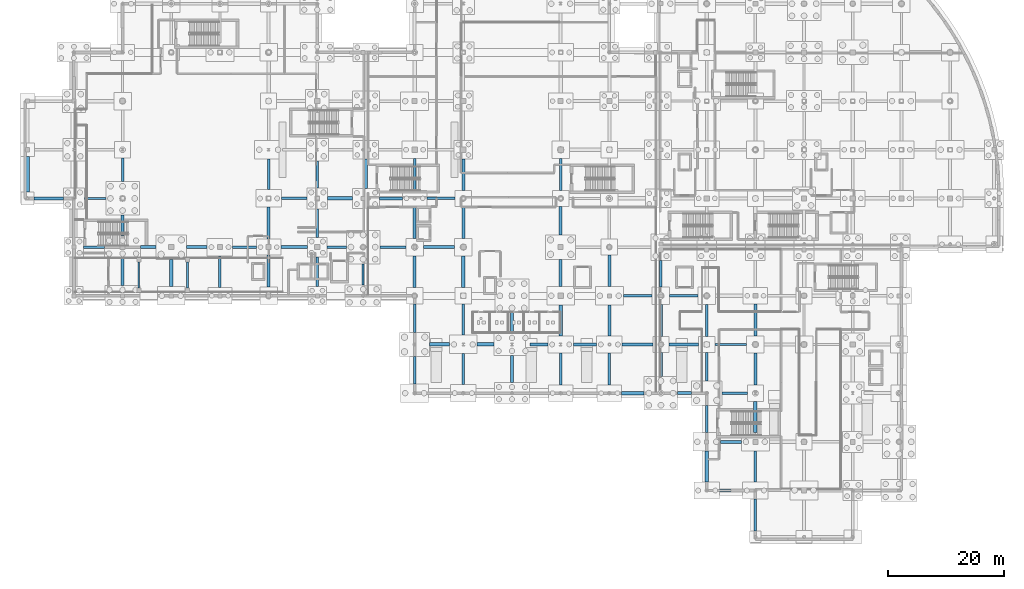
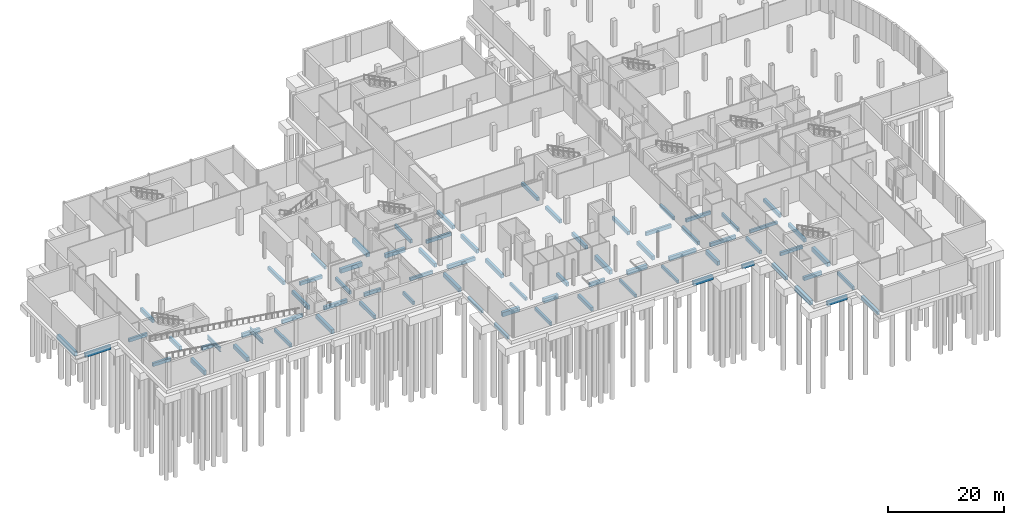
# One storey, part 21 of 49: 76 beams.
"""IFC4 building model written with IfcOpenShell, lengths in metres."""

from ifc_helpers import new_model, si_unit, direction, frame, origin, origin_2d, place, context, subcontext, project, spatial, rectangle, i_section, extrude, material, material_profile, profile_set, type_object, element, save


model = new_model("IFC4")

# Units and contexts
model_context = context("Model", 3, precision=1e-05, world=origin(), true_north=direction((0.0, 1.0)))
body_context = subcontext(model_context, "Body", "Model", "MODEL_VIEW")
ifc_project = project(units=[si_unit("LENGTHUNIT", "METRE"), si_unit("AREAUNIT", "SQUARE_METRE"), si_unit("VOLUMEUNIT", "CUBIC_METRE"), si_unit("PLANEANGLEUNIT", "RADIAN"), si_unit("MASSUNIT", "GRAM", prefix="KILO"), si_unit("THERMODYNAMICTEMPERATUREUNIT", "KELVIN")], contexts=[model_context])

# Site, building, storey
site_placement = place(None, origin())
site = spatial("IfcSite", under=ifc_project, at=site_placement, CompositionType="ELEMENT")
building_placement = place(site_placement, origin())
building = spatial("IfcBuilding", under=site, at=building_placement, Name="Lustrewick Department Store", CompositionType="ELEMENT")
storey_placement = place(building_placement, frame((0.0, 0.0, -5.39990234375)))
storey = spatial("IfcBuildingStorey", under=building, at=storey_placement, Name="B1", CompositionType="ELEMENT", Elevation=-5.39990234375)

# Beams
ifc_material_1 = material(Name="Structural steel Q355C", Category="steel")
ifc_material_profile_1 = material_profile(ifc_material_1, i_section(OverallWidth=0.300048828125, OverallDepth=0.89990234375, WebThickness=0.01611328125, FlangeThickness=0.028076171875, FilletRadius=0.02392578125, at=origin_2d()), Name="HN 900x300x16x28")
ifc_profile_set_1 = profile_set([ifc_material_profile_1], Name="Structural steel Q355C")
beam_type_1 = type_object("IfcBeamType", Name="G02", PredefinedType="BEAM", material=ifc_profile_set_1)
for number, where, z_axis, x_axis, name in (
    (1, (19.60009765625, 43.360107421875, 3.0029296875), (0.0, 1.0, 0.0), (-1.0, 0.0, 0.0), "B1 Vehicle Ramp Transverse Support Girder 1"),
    (2, (28.0, 43.360107421875, 1.742919921875), (0.0, 1.0, 0.0), (-1.0, 0.0, 0.0), "B1 Vehicle Ramp Transverse Support Girder 2"),
):
    element("IfcBeam", number, at=place(storey_placement, frame(where, z_axis=z_axis, x_axis=x_axis)), inside=storey, type_object=beam_type_1, Name=name, PredefinedType="BEAM", context=body_context, shape_type="SweptSolid", body=[
        extrude(i_section(OverallWidth=0.300048828125, OverallDepth=0.89990234375, WebThickness=0.01611328125, FlangeThickness=0.028076171875, FilletRadius=0.02392578125, at=origin_2d()), origin(), (0.0, 0.0, 1.0), 4.47998046875),
    ])
ifc_material_2 = material(Name="Concrete C40", Category="concrete")
ifc_material_profile_2 = material_profile(ifc_material_2, rectangle(XDim=0.60009765625, YDim=0.89990234375, at=origin_2d()), Name="RC 600x900")
ifc_profile_set_2 = profile_set([ifc_material_profile_2], Name="Concrete C40")
beam_type_2 = type_object("IfcBeamType", Name="GB01", PredefinedType="BEAM", material=ifc_profile_set_2)
beam_1_placement = place(storey_placement, frame((0.39990234375, 59.89990234375, -1.150146484375), z_axis=(0.0, 1.0, 0.0), x_axis=(-1.0, 0.0, 0.0)))
element("IfcBeam", 3, at=beam_1_placement, inside=storey, type_object=beam_type_2, Name="Ground Tie Beam GB01 0001", PredefinedType="BEAM", context=body_context, shape_type="SweptSolid", body=[
    extrude(rectangle(XDim=0.60009765625, YDim=0.89990234375, at=origin_2d()), origin(), (0.0, 0.0, 1.0), 6.10009765625),
])
beam_2_placement = place(storey_placement, frame((52.199951171875, 58.800048828125, -1.150146484375), z_axis=(1.0, 0.0, 0.0), x_axis=(0.0, 1.0, 0.0)))
element("IfcBeam", 4, at=beam_2_placement, inside=storey, type_object=beam_type_2, Name="Ground Tie Beam GB01 0041", PredefinedType="BEAM", context=body_context, shape_type="SweptSolid", body=[
    extrude(rectangle(XDim=0.60009765625, YDim=0.89990234375, at=origin_2d()), origin(), (0.0, 0.0, 1.0), 4.300048828125),
])
beam_3_placement = place(storey_placement, frame((58.800048828125, 60.5, -1.150146484375), z_axis=(0.0, 1.0, 0.0), x_axis=(-1.0, 0.0, 0.0)))
element("IfcBeam", 5, at=beam_3_placement, inside=storey, type_object=beam_type_2, Name="Ground Tie Beam GB01 0049", PredefinedType="BEAM", context=body_context, shape_type="SweptSolid", body=[
    extrude(rectangle(XDim=0.60009765625, YDim=0.89990234375, at=origin_2d()), origin(), (0.0, 0.0, 1.0), 5.10009765625),
])
beam_4_placement = place(storey_placement, frame((69.800048828125, 33.60009765625, -1.150146484375), z_axis=(1.0, 0.0, 0.0), x_axis=(0.0, 1.0, 0.0)))
element("IfcBeam", 6, at=beam_4_placement, inside=storey, type_object=beam_type_2, Name="Ground Tie Beam GB01 0057", PredefinedType="BEAM", context=body_context, shape_type="SweptSolid", body=[
    extrude(rectangle(XDim=0.60009765625, YDim=0.89990234375, at=origin_2d()), origin(), (0.0, 0.0, 1.0), 3.39990234375),
])
beam_5_placement = place(storey_placement, frame((78.0, 33.60009765625, -1.150146484375), z_axis=(1.0, 0.0, 0.0), x_axis=(0.0, 1.0, 0.0)))
element("IfcBeam", 7, at=beam_5_placement, inside=storey, type_object=beam_type_2, Name="Ground Tie Beam GB01 0073", PredefinedType="BEAM", context=body_context, shape_type="SweptSolid", body=[
    extrude(rectangle(XDim=0.60009765625, YDim=0.89990234375, at=origin_2d()), origin(), (0.0, 0.0, 1.0), 2.89990234375),
])
beam_6_placement = place(storey_placement, frame((92.39990234375, 35.10009765625, -1.150146484375), z_axis=(0.0, 1.0, 0.0), x_axis=(-1.0, 0.0, 0.0)))
element("IfcBeam", 8, at=beam_6_placement, inside=storey, type_object=beam_type_2, Name="Ground Tie Beam GB01 0089", PredefinedType="BEAM", context=body_context, shape_type="SweptSolid", body=[
    extrude(rectangle(XDim=0.60009765625, YDim=0.89990234375, at=origin_2d()), origin(), (0.0, 0.0, 1.0), 5.2998046875),
])
beam_7_placement = place(storey_placement, frame((102.89990234375, 25.199951171875, -1.150146484375), z_axis=(1.0, 0.0, 0.0), x_axis=(0.0, 1.0, 0.0)))
element("IfcBeam", 9, at=beam_7_placement, inside=storey, type_object=beam_type_2, Name="Ground Tie Beam GB01 0105", PredefinedType="BEAM", context=body_context, shape_type="SweptSolid", body=[
    extrude(rectangle(XDim=0.60009765625, YDim=0.89990234375, at=origin_2d()), origin(), (0.0, 0.0, 1.0), 3.900146484375),
])
beam_8_placement = place(storey_placement, frame((117.60009765625, 9.89990234375, -1.150146484375), z_axis=(0.0, 1.0, 0.0), x_axis=(-1.0, 0.0, 0.0)))
element("IfcBeam", 10, at=beam_8_placement, inside=storey, type_object=beam_type_2, Name="Ground Tie Beam GB01 0137", PredefinedType="BEAM", context=body_context, shape_type="SweptSolid", body=[
    extrude(rectangle(XDim=0.60009765625, YDim=0.89990234375, at=origin_2d()), origin(), (0.0, 0.0, 1.0), 5.300048828125),
])
beam_9_placement = place(storey_placement, frame((126.0, 18.39990234375, -1.150146484375), z_axis=(0.0, 1.0, 0.0), x_axis=(-1.0, 0.0, 0.0)))
element("IfcBeam", 11, at=beam_9_placement, inside=storey, type_object=beam_type_2, Name="Ground Tie Beam GB01 0153", PredefinedType="BEAM", context=body_context, shape_type="SweptSolid", body=[
    extrude(rectangle(XDim=0.60009765625, YDim=0.89990234375, at=origin_2d()), origin(), (0.0, 0.0, 1.0), 5.400146484375),
])
ifc_material_profile_3 = material_profile(ifc_material_2, rectangle(XDim=0.550048828125, YDim=0.85009765625, at=origin_2d()), Name="RC 550x850")
ifc_profile_set_3 = profile_set([ifc_material_profile_3], Name="Concrete C40")
beam_type_3 = type_object("IfcBeamType", Name="GB02", PredefinedType="BEAM", material=ifc_profile_set_3)
beam_10_placement = place(storey_placement, frame((1.5, 58.800048828125, -1.125), z_axis=(1.0, 0.0, 0.0), x_axis=(0.0, 1.0, 0.0)))
element("IfcBeam", 12, at=beam_10_placement, inside=storey, type_object=beam_type_3, Name="Ground Tie Beam GB02 0002", PredefinedType="BEAM", context=body_context, shape_type="SweptSolid", body=[
    extrude(rectangle(XDim=0.550048828125, YDim=0.85009765625, at=origin_2d()), origin(), (0.0, 0.0, 1.0), 5.10009765625),
])
for number, where, z_axis, x_axis, name in (
    (13, (16.800048828125, 43.800048828125, -1.125), (0.0, 1.0, 0.0), (-1.0, 0.0, 0.0), "Ground Tie Beam GB02 0010"),
    (14, (25.199951171875, 43.60009765625, -1.125), (0.0, 1.0, 0.0), (-1.0, 0.0, 0.0), "Ground Tie Beam GB02 0018"),
):
    element("IfcBeam", number, at=place(storey_placement, frame(where, z_axis=z_axis, x_axis=x_axis)), inside=storey, type_object=beam_type_3, Name=name, PredefinedType="BEAM", context=body_context, shape_type="SweptSolid", body=[
        extrude(rectangle(XDim=0.550048828125, YDim=0.85009765625, at=origin_2d()), origin(), (0.0, 0.0, 1.0), 4.699951171875),
    ])
beam_11_placement = place(storey_placement, frame((42.0, 43.5, -1.125), z_axis=(0.0, 1.0, 0.0), x_axis=(-1.0, 0.0, 0.0)))
element("IfcBeam", 15, at=beam_11_placement, inside=storey, type_object=beam_type_3, Name="Ground Tie Beam GB02 0026", PredefinedType="BEAM", context=body_context, shape_type="SweptSolid", body=[
    extrude(rectangle(XDim=0.550048828125, YDim=0.85009765625, at=origin_2d()), origin(), (0.0, 0.0, 1.0), 5.5),
])
beam_12_placement = place(storey_placement, frame((61.10009765625, 58.800048828125, -1.125), z_axis=(1.0, 0.0, 0.0), x_axis=(0.0, 1.0, 0.0)))
element("IfcBeam", 16, at=beam_12_placement, inside=storey, type_object=beam_type_3, Name="Ground Tie Beam GB02 0050", PredefinedType="BEAM", context=body_context, shape_type="SweptSolid", body=[
    extrude(rectangle(XDim=0.550048828125, YDim=0.85009765625, at=origin_2d()), origin(), (0.0, 0.0, 1.0), 4.0),
])
for number, where, z_axis, x_axis, name in (
    (17, (67.199951171875, 43.39990234375, -1.125), (0.0, 1.0, 0.0), (-1.0, 0.0, 0.0), "Ground Tie Beam GB02 0058"),
    (18, (75.60009765625, 43.39990234375, -1.125), (0.0, 1.0, 0.0), (-1.0, 0.0, 0.0), "Ground Tie Beam GB02 0074"),
):
    element("IfcBeam", number, at=place(storey_placement, frame(where, z_axis=z_axis, x_axis=x_axis)), inside=storey, type_object=beam_type_3, Name=name, PredefinedType="BEAM", context=body_context, shape_type="SweptSolid", body=[
        extrude(rectangle(XDim=0.550048828125, YDim=0.85009765625, at=origin_2d()), origin(), (0.0, 0.0, 1.0), 5.5),
    ])
beam_13_placement = place(storey_placement, frame((94.60009765625, 33.60009765625, -1.125), z_axis=(1.0, 0.0, 0.0), x_axis=(0.0, 1.0, 0.0)))
element("IfcBeam", 19, at=beam_13_placement, inside=storey, type_object=beam_type_3, Name="Ground Tie Beam GB02 0090", PredefinedType="BEAM", context=body_context, shape_type="SweptSolid", body=[
    extrude(rectangle(XDim=0.550048828125, YDim=0.85009765625, at=origin_2d()), origin(), (0.0, 0.0, 1.0), 4.0),
])
beam_14_placement = place(storey_placement, frame((100.800048828125, 35.10009765625, -1.125), z_axis=(0.0, 1.0, 0.0), x_axis=(-1.0, 0.0, 0.0)))
element("IfcBeam", 20, at=beam_14_placement, inside=storey, type_object=beam_type_3, Name="Ground Tie Beam GB02 0106", PredefinedType="BEAM", context=body_context, shape_type="SweptSolid", body=[
    extrude(rectangle(XDim=0.550048828125, YDim=0.85009765625, at=origin_2d()), origin(), (0.0, 0.0, 1.0), 5.2998046875),
])
beam_15_placement = place(storey_placement, frame((109.699951171875, 28.10009765625, -1.125), z_axis=(0.0, 1.0, 0.0), x_axis=(-1.0, 0.0, 0.0)))
element("IfcBeam", 21, at=beam_15_placement, inside=storey, type_object=beam_type_3, Name="Ground Tie Beam GB02 0130", PredefinedType="BEAM", context=body_context, shape_type="SweptSolid", body=[
    extrude(rectangle(XDim=0.550048828125, YDim=0.85009765625, at=origin_2d()), origin(), (0.0, 0.0, 1.0), 4.099853515625),
])
beam_16_placement = place(storey_placement, frame((119.800048828125, 8.39990234375, -1.125), z_axis=(1.0, 0.0, 0.0), x_axis=(0.0, 1.0, 0.0)))
element("IfcBeam", 22, at=beam_16_placement, inside=storey, type_object=beam_type_3, Name="Ground Tie Beam GB02 0138", PredefinedType="BEAM", context=body_context, shape_type="SweptSolid", body=[
    extrude(rectangle(XDim=0.550048828125, YDim=0.85009765625, at=origin_2d()), origin(), (0.0, 0.0, 1.0), 4.0),
])
ifc_material_profile_4 = material_profile(ifc_material_2, rectangle(XDim=0.5, YDim=0.800048828125, at=origin_2d()), Name="RC 500x800")
ifc_profile_set_4 = profile_set([ifc_material_profile_4], Name="Concrete C40")
beam_type_4 = type_object("IfcBeamType", Name="GB03", PredefinedType="BEAM", material=ifc_profile_set_4)
for number, where, z_axis, x_axis, name in (
    (23, (16.800048828125, 52.300048828125, -1.10009765625), (0.0, 1.0, 0.0), (-1.0, 0.0, 0.0), "Ground Tie Beam GB03 0011"),
    (24, (27.800048828125, 50.39990234375, -1.10009765625), (1.0, 0.0, 0.0), (0.0, 1.0, 0.0), "Ground Tie Beam GB03 0019"),
):
    element("IfcBeam", number, at=place(storey_placement, frame(where, z_axis=z_axis, x_axis=x_axis)), inside=storey, type_object=beam_type_4, Name=name, PredefinedType="BEAM", context=body_context, shape_type="SweptSolid", body=[
        extrude(rectangle(XDim=0.5, YDim=0.800048828125, at=origin_2d()), origin(), (0.0, 0.0, 1.0), 3.599853515625),
    ])
for number, where, z_axis, x_axis, name in (
    (25, (42.0, 51.800048828125, -1.10009765625), (0.0, 1.0, 0.0), (-1.0, 0.0, 0.0), "Ground Tie Beam GB03 0027"),
    (26, (67.199951171875, 51.89990234375, -1.10009765625), (0.0, 1.0, 0.0), (-1.0, 0.0, 0.0), "Ground Tie Beam GB03 0059"),
    (27, (75.60009765625, 51.89990234375, -1.10009765625), (0.0, 1.0, 0.0), (-1.0, 0.0, 0.0), "Ground Tie Beam GB03 0075"),
):
    element("IfcBeam", number, at=place(storey_placement, frame(where, z_axis=z_axis, x_axis=x_axis)), inside=storey, type_object=beam_type_4, Name=name, PredefinedType="BEAM", context=body_context, shape_type="SweptSolid", body=[
        extrude(rectangle(XDim=0.5, YDim=0.800048828125, at=origin_2d()), origin(), (0.0, 0.0, 1.0), 5.5),
    ])
for number, where, z_axis, x_axis, name in (
    (28, (84.0, 27.0, -1.10009765625), (0.0, 1.0, 0.0), (-1.0, 0.0, 0.0), "Ground Tie Beam GB03 0083"),
    (29, (92.39990234375, 43.60009765625, -1.10009765625), (0.0, 1.0, 0.0), (-1.0, 0.0, 0.0), "Ground Tie Beam GB03 0091"),
):
    element("IfcBeam", number, at=place(storey_placement, frame(where, z_axis=z_axis, x_axis=x_axis)), inside=storey, type_object=beam_type_4, Name=name, PredefinedType="BEAM", context=body_context, shape_type="SweptSolid", body=[
        extrude(rectangle(XDim=0.5, YDim=0.800048828125, at=origin_2d()), origin(), (0.0, 0.0, 1.0), 4.699951171875),
    ])
beam_17_placement = place(storey_placement, frame((103.0, 33.60009765625, -1.10009765625), z_axis=(1.0, 0.0, 0.0), x_axis=(0.0, 1.0, 0.0)))
element("IfcBeam", 30, at=beam_17_placement, inside=storey, type_object=beam_type_4, Name="Ground Tie Beam GB03 0107", PredefinedType="BEAM", context=body_context, shape_type="SweptSolid", body=[
    extrude(rectangle(XDim=0.5, YDim=0.800048828125, at=origin_2d()), origin(), (0.0, 0.0, 1.0), 5.300048828125),
])
beam_18_placement = place(storey_placement, frame((112.60009765625, 25.199951171875, -1.10009765625), z_axis=(1.0, 0.0, 0.0), x_axis=(0.0, 1.0, 0.0)))
element("IfcBeam", 31, at=beam_18_placement, inside=storey, type_object=beam_type_4, Name="Ground Tie Beam GB03 0131", PredefinedType="BEAM", context=body_context, shape_type="SweptSolid", body=[
    extrude(rectangle(XDim=0.5, YDim=0.800048828125, at=origin_2d()), origin(), (0.0, 0.0, 1.0), 2.39990234375),
])
beam_19_placement = place(storey_placement, frame((117.60009765625, 18.39990234375, -1.10009765625), z_axis=(0.0, 1.0, 0.0), x_axis=(-1.0, 0.0, 0.0)))
element("IfcBeam", 32, at=beam_19_placement, inside=storey, type_object=beam_type_4, Name="Ground Tie Beam GB03 0139", PredefinedType="BEAM", context=body_context, shape_type="SweptSolid", body=[
    extrude(rectangle(XDim=0.5, YDim=0.800048828125, at=origin_2d()), origin(), (0.0, 0.0, 1.0), 4.7001953125),
])
beam_20_placement = place(storey_placement, frame((126.0, 26.60009765625, -1.10009765625), z_axis=(0.0, 1.0, 0.0), x_axis=(-1.0, 0.0, 0.0)))
element("IfcBeam", 33, at=beam_20_placement, inside=storey, type_object=beam_type_4, Name="Ground Tie Beam GB03 0155", PredefinedType="BEAM", context=body_context, shape_type="SweptSolid", body=[
    extrude(rectangle(XDim=0.5, YDim=0.800048828125, at=origin_2d()), origin(), (0.0, 0.0, 1.0), 5.5),
])
ifc_material_profile_5 = material_profile(ifc_material_2, rectangle(XDim=0.5, YDim=0.75, at=origin_2d()), Name="RC 500x750")
ifc_profile_set_5 = profile_set([ifc_material_profile_5], Name="Concrete C40")
beam_type_5 = type_object("IfcBeamType", Name="GB04", PredefinedType="BEAM", material=ifc_profile_set_5)
beam_21_placement = place(storey_placement, frame((19.89990234375, 50.39990234375, -1.0751953125), z_axis=(1.0, 0.0, 0.0), x_axis=(0.0, 1.0, 0.0)))
element("IfcBeam", 34, at=beam_21_placement, inside=storey, type_object=beam_type_5, Name="Ground Tie Beam GB04 0012", PredefinedType="BEAM", context=body_context, shape_type="SweptSolid", body=[
    extrude(rectangle(XDim=0.5, YDim=0.75, at=origin_2d()), origin(), (0.0, 0.0, 1.0), 2.7001953125),
])
beam_22_placement = place(storey_placement, frame((44.10009765625, 50.39990234375, -1.0751953125), z_axis=(1.0, 0.0, 0.0), x_axis=(0.0, 1.0, 0.0)))
element("IfcBeam", 35, at=beam_22_placement, inside=storey, type_object=beam_type_5, Name="Ground Tie Beam GB04 0028", PredefinedType="BEAM", context=body_context, shape_type="SweptSolid", body=[
    extrude(rectangle(XDim=0.5, YDim=0.75, at=origin_2d()), origin(), (0.0, 0.0, 1.0), 4.599853515625),
])
for number, where, z_axis, x_axis, name in (
    (36, (68.699951171875, 50.39990234375, -1.0751953125), (1.0, 0.0, 0.0), (0.0, 1.0, 0.0), "Ground Tie Beam GB04 0060"),
    (37, (75.60009765625, 60.199951171875, -1.0751953125), (0.0, 1.0, 0.0), (-1.0, 0.0, 0.0), "Ground Tie Beam GB04 0076"),
):
    element("IfcBeam", number, at=place(storey_placement, frame(where, z_axis=z_axis, x_axis=x_axis)), inside=storey, type_object=beam_type_5, Name=name, PredefinedType="BEAM", context=body_context, shape_type="SweptSolid", body=[
        extrude(rectangle(XDim=0.5, YDim=0.75, at=origin_2d()), origin(), (0.0, 0.0, 1.0), 5.400146484375),
    ])
beam_23_placement = place(storey_placement, frame((84.0, 35.5, -1.0751953125), z_axis=(0.0, 1.0, 0.0), x_axis=(-1.0, 0.0, 0.0)))
element("IfcBeam", 38, at=beam_23_placement, inside=storey, type_object=beam_type_5, Name="Ground Tie Beam GB04 0084", PredefinedType="BEAM", context=body_context, shape_type="SweptSolid", body=[
    extrude(rectangle(XDim=0.5, YDim=0.75, at=origin_2d()), origin(), (0.0, 0.0, 1.0), 3.60009765625),
])
beam_24_placement = place(storey_placement, frame((92.39990234375, 52.5, -1.0751953125), z_axis=(0.0, 1.0, 0.0), x_axis=(-1.0, 0.0, 0.0)))
element("IfcBeam", 39, at=beam_24_placement, inside=storey, type_object=beam_type_5, Name="Ground Tie Beam GB04 0092", PredefinedType="BEAM", context=body_context, shape_type="SweptSolid", body=[
    extrude(rectangle(XDim=0.5, YDim=0.75, at=origin_2d()), origin(), (0.0, 0.0, 1.0), 4.89990234375),
])
beam_25_placement = place(storey_placement, frame((100.800048828125, 43.60009765625, -1.0751953125), z_axis=(0.0, 1.0, 0.0), x_axis=(-1.0, 0.0, 0.0)))
element("IfcBeam", 40, at=beam_25_placement, inside=storey, type_object=beam_type_5, Name="Ground Tie Beam GB04 0108", PredefinedType="BEAM", context=body_context, shape_type="SweptSolid", body=[
    extrude(rectangle(XDim=0.5, YDim=0.75, at=origin_2d()), origin(), (0.0, 0.0, 1.0), 5.39990234375),
])
beam_26_placement = place(storey_placement, frame((109.699951171875, 35.0, -1.0751953125), z_axis=(0.0, 1.0, 0.0), x_axis=(-1.0, 0.0, 0.0)))
element("IfcBeam", 41, at=beam_26_placement, inside=storey, type_object=beam_type_5, Name="Ground Tie Beam GB04 0132", PredefinedType="BEAM", context=body_context, shape_type="SweptSolid", body=[
    extrude(rectangle(XDim=0.5, YDim=0.75, at=origin_2d()), origin(), (0.0, 0.0, 1.0), 5.5),
])
beam_27_placement = place(storey_placement, frame((120.0, 16.800048828125, -1.0751953125), z_axis=(1.0, 0.0, 0.0), x_axis=(0.0, 1.0, 0.0)))
element("IfcBeam", 42, at=beam_27_placement, inside=storey, type_object=beam_type_5, Name="Ground Tie Beam GB04 0140", PredefinedType="BEAM", context=body_context, shape_type="SweptSolid", body=[
    extrude(rectangle(XDim=0.5, YDim=0.75, at=origin_2d()), origin(), (0.0, 0.0, 1.0), 3.60009765625),
])
beam_28_placement = place(storey_placement, frame((126.0, 35.10009765625, -1.0751953125), z_axis=(0.0, 1.0, 0.0), x_axis=(-1.0, 0.0, 0.0)))
element("IfcBeam", 43, at=beam_28_placement, inside=storey, type_object=beam_type_5, Name="Ground Tie Beam GB04 0156", PredefinedType="BEAM", context=body_context, shape_type="SweptSolid", body=[
    extrude(rectangle(XDim=0.5, YDim=0.75, at=origin_2d()), origin(), (0.0, 0.0, 1.0), 5.5),
])
ifc_material_profile_6 = material_profile(ifc_material_2, rectangle(XDim=0.449951171875, YDim=0.75, at=origin_2d()), Name="RC 450x750")
ifc_profile_set_6 = profile_set([ifc_material_profile_6], Name="Concrete C40")
beam_type_6 = type_object("IfcBeamType", Name="GB05", PredefinedType="BEAM", material=ifc_profile_set_6)
beam_29_placement = place(storey_placement, frame((16.800048828125, 61.699951171875, -1.0751953125), z_axis=(0.0, 1.0, 0.0), x_axis=(-1.0, 0.0, 0.0)))
element("IfcBeam", 44, at=beam_29_placement, inside=storey, type_object=beam_type_6, Name="Ground Tie Beam GB05 0013", PredefinedType="BEAM", context=body_context, shape_type="SweptSolid", body=[
    extrude(rectangle(XDim=0.449951171875, YDim=0.75, at=origin_2d()), origin(), (0.0, 0.0, 1.0), 4.10009765625),
])
beam_30_placement = place(storey_placement, frame((42.0, 60.300048828125, -1.0751953125), z_axis=(0.0, 1.0, 0.0), x_axis=(-1.0, 0.0, 0.0)))
element("IfcBeam", 45, at=beam_30_placement, inside=storey, type_object=beam_type_6, Name="Ground Tie Beam GB05 0029", PredefinedType="BEAM", context=body_context, shape_type="SweptSolid", body=[
    extrude(rectangle(XDim=0.449951171875, YDim=0.75, at=origin_2d()), origin(), (0.0, 0.0, 1.0), 5.300048828125),
])
beam_31_placement = place(storey_placement, frame((50.39990234375, 43.60009765625, -1.0751953125), z_axis=(0.0, 1.0, 0.0), x_axis=(-1.0, 0.0, 0.0)))
element("IfcBeam", 46, at=beam_31_placement, inside=storey, type_object=beam_type_6, Name="Ground Tie Beam GB05 0037", PredefinedType="BEAM", context=body_context, shape_type="SweptSolid", body=[
    extrude(rectangle(XDim=0.449951171875, YDim=0.75, at=origin_2d()), origin(), (0.0, 0.0, 1.0), 5.099853515625),
])
beam_32_placement = place(storey_placement, frame((67.199951171875, 60.199951171875, -1.0751953125), z_axis=(0.0, 1.0, 0.0), x_axis=(-1.0, 0.0, 0.0)))
element("IfcBeam", 47, at=beam_32_placement, inside=storey, type_object=beam_type_6, Name="Ground Tie Beam GB05 0061", PredefinedType="BEAM", context=body_context, shape_type="SweptSolid", body=[
    extrude(rectangle(XDim=0.449951171875, YDim=0.75, at=origin_2d()), origin(), (0.0, 0.0, 1.0), 5.5),
])
beam_33_placement = place(storey_placement, frame((87.10009765625, 33.60009765625, -1.0751953125), z_axis=(1.0, 0.0, 0.0), x_axis=(0.0, 1.0, 0.0)))
element("IfcBeam", 48, at=beam_33_placement, inside=storey, type_object=beam_type_6, Name="Ground Tie Beam GB05 0085", PredefinedType="BEAM", context=body_context, shape_type="SweptSolid", body=[
    extrude(rectangle(XDim=0.449951171875, YDim=0.75, at=origin_2d()), origin(), (0.0, 0.0, 1.0), 3.099853515625),
])
beam_34_placement = place(storey_placement, frame((103.199951171875, 42.0, -1.0751953125), z_axis=(1.0, 0.0, 0.0), x_axis=(0.0, 1.0, 0.0)))
element("IfcBeam", 49, at=beam_34_placement, inside=storey, type_object=beam_type_6, Name="Ground Tie Beam GB05 0109", PredefinedType="BEAM", context=body_context, shape_type="SweptSolid", body=[
    extrude(rectangle(XDim=0.449951171875, YDim=0.75, at=origin_2d()), origin(), (0.0, 0.0, 1.0), 5.0),
])
beam_35_placement = place(storey_placement, frame((111.10009765625, 33.60009765625, -1.0751953125), z_axis=(1.0, 0.0, 0.0), x_axis=(0.0, 1.0, 0.0)))
element("IfcBeam", 50, at=beam_35_placement, inside=storey, type_object=beam_type_6, Name="Ground Tie Beam GB05 0133", PredefinedType="BEAM", context=body_context, shape_type="SweptSolid", body=[
    extrude(rectangle(XDim=0.449951171875, YDim=0.75, at=origin_2d()), origin(), (0.0, 0.0, 1.0), 5.099853515625),
])
beam_36_placement = place(storey_placement, frame((117.60009765625, 27.300048828125, -1.0751953125), z_axis=(0.0, 1.0, 0.0), x_axis=(-1.0, 0.0, 0.0)))
element("IfcBeam", 51, at=beam_36_placement, inside=storey, type_object=beam_type_6, Name="Ground Tie Beam GB05 0141", PredefinedType="BEAM", context=body_context, shape_type="SweptSolid", body=[
    extrude(rectangle(XDim=0.449951171875, YDim=0.75, at=origin_2d()), origin(), (0.0, 0.0, 1.0), 4.89990234375),
])
beam_37_placement = place(storey_placement, frame((126.0, 1.39990234375, -1.0751953125), z_axis=(0.0, 1.0, 0.0), x_axis=(-1.0, 0.0, 0.0)))
element("IfcBeam", 52, at=beam_37_placement, inside=storey, type_object=beam_type_6, Name="Ground Tie Beam GB05 0149", PredefinedType="BEAM", context=body_context, shape_type="SweptSolid", body=[
    extrude(rectangle(XDim=0.449951171875, YDim=0.75, at=origin_2d()), origin(), (0.0, 0.0, 1.0), 5.5),
])
ifc_material_profile_7 = material_profile(ifc_material_2, rectangle(XDim=0.449951171875, YDim=0.699951171875, at=origin_2d()), Name="RC 450x700")
ifc_profile_set_7 = profile_set([ifc_material_profile_7], Name="Concrete C40")
beam_type_7 = type_object("IfcBeamType", Name="GB06", PredefinedType="BEAM", material=ifc_profile_set_7)
beam_38_placement = place(storey_placement, frame((10.10009765625, 50.39990234375, -1.050048828125), z_axis=(1.0, 0.0, 0.0), x_axis=(0.0, 1.0, 0.0)))
element("IfcBeam", 53, at=beam_38_placement, inside=storey, type_object=beam_type_7, Name="Ground Tie Beam GB06 0006", PredefinedType="BEAM", context=body_context, shape_type="SweptSolid", body=[
    extrude(rectangle(XDim=0.449951171875, YDim=0.699951171875, at=origin_2d()), origin(), (0.0, 0.0, 1.0), 3.599853515625),
])
beam_39_placement = place(storey_placement, frame((33.60009765625, 43.39990234375, -1.050048828125), z_axis=(0.0, 1.0, 0.0), x_axis=(-1.0, 0.0, 0.0)))
element("IfcBeam", 54, at=beam_39_placement, inside=storey, type_object=beam_type_7, Name="Ground Tie Beam GB06 0022", PredefinedType="BEAM", context=body_context, shape_type="SweptSolid", body=[
    extrude(rectangle(XDim=0.449951171875, YDim=0.699951171875, at=origin_2d()), origin(), (0.0, 0.0, 1.0), 5.5),
])
beam_40_placement = place(storey_placement, frame((44.199951171875, 58.800048828125, -1.050048828125), z_axis=(1.0, 0.0, 0.0), x_axis=(0.0, 1.0, 0.0)))
element("IfcBeam", 55, at=beam_40_placement, inside=storey, type_object=beam_type_7, Name="Ground Tie Beam GB06 0030", PredefinedType="BEAM", context=body_context, shape_type="SweptSolid", body=[
    extrude(rectangle(XDim=0.449951171875, YDim=0.699951171875, at=origin_2d()), origin(), (0.0, 0.0, 1.0), 4.400146484375),
])
for number, where, z_axis, x_axis, name in (
    (56, (50.39990234375, 52.10009765625, -1.050048828125), (0.0, 1.0, 0.0), (-1.0, 0.0, 0.0), "Ground Tie Beam GB06 0038"),
    (57, (69.300048828125, 58.800048828125, -1.050048828125), (1.0, 0.0, 0.0), (0.0, 1.0, 0.0), "Ground Tie Beam GB06 0062"),
):
    element("IfcBeam", number, at=place(storey_placement, frame(where, z_axis=z_axis, x_axis=x_axis)), inside=storey, type_object=beam_type_7, Name=name, PredefinedType="BEAM", context=body_context, shape_type="SweptSolid", body=[
        extrude(rectangle(XDim=0.449951171875, YDim=0.699951171875, at=origin_2d()), origin(), (0.0, 0.0, 1.0), 4.89990234375),
    ])
beam_41_placement = place(storey_placement, frame((92.39990234375, 60.199951171875, -1.050048828125), z_axis=(0.0, 1.0, 0.0), x_axis=(-1.0, 0.0, 0.0)))
element("IfcBeam", 58, at=beam_41_placement, inside=storey, type_object=beam_type_7, Name="Ground Tie Beam GB06 0094", PredefinedType="BEAM", context=body_context, shape_type="SweptSolid", body=[
    extrude(rectangle(XDim=0.449951171875, YDim=0.699951171875, at=origin_2d()), origin(), (0.0, 0.0, 1.0), 5.5),
])
beam_42_placement = place(storey_placement, frame((109.699951171875, 43.5, -1.050048828125), z_axis=(0.0, 1.0, 0.0), x_axis=(-1.0, 0.0, 0.0)))
element("IfcBeam", 59, at=beam_42_placement, inside=storey, type_object=beam_type_7, Name="Ground Tie Beam GB06 0134", PredefinedType="BEAM", context=body_context, shape_type="SweptSolid", body=[
    extrude(rectangle(XDim=0.449951171875, YDim=0.699951171875, at=origin_2d()), origin(), (0.0, 0.0, 1.0), 4.60009765625),
])
beam_43_placement = place(storey_placement, frame((120.199951171875, 25.199951171875, -1.050048828125), z_axis=(1.0, 0.0, 0.0), x_axis=(0.0, 1.0, 0.0)))
element("IfcBeam", 60, at=beam_43_placement, inside=storey, type_object=beam_type_7, Name="Ground Tie Beam GB06 0142", PredefinedType="BEAM", context=body_context, shape_type="SweptSolid", body=[
    extrude(rectangle(XDim=0.449951171875, YDim=0.699951171875, at=origin_2d()), origin(), (0.0, 0.0, 1.0), 4.400146484375),
])
ifc_material_profile_8 = material_profile(ifc_material_2, rectangle(XDim=0.39990234375, YDim=0.699951171875, at=origin_2d()), Name="RC 400x700")
ifc_profile_set_8 = profile_set([ifc_material_profile_8], Name="Concrete C40")
beam_type_8 = type_object("IfcBeamType", Name="GB07", PredefinedType="BEAM", material=ifc_profile_set_8)
beam_44_placement = place(storey_placement, frame((10.199951171875, 58.800048828125, -1.050048828125), z_axis=(1.0, 0.0, 0.0), x_axis=(0.0, 1.0, 0.0)))
element("IfcBeam", 61, at=beam_44_placement, inside=storey, type_object=beam_type_8, Name="Ground Tie Beam GB07 0007", PredefinedType="BEAM", context=body_context, shape_type="SweptSolid", body=[
    extrude(rectangle(XDim=0.39990234375, YDim=0.699951171875, at=origin_2d()), origin(), (0.0, 0.0, 1.0), 3.699951171875),
])
beam_45_placement = place(storey_placement, frame((35.800048828125, 50.39990234375, -1.050048828125), z_axis=(1.0, 0.0, 0.0), x_axis=(0.0, 1.0, 0.0)))
element("IfcBeam", 62, at=beam_45_placement, inside=storey, type_object=beam_type_8, Name="Ground Tie Beam GB07 0023", PredefinedType="BEAM", context=body_context, shape_type="SweptSolid", body=[
    extrude(rectangle(XDim=0.39990234375, YDim=0.699951171875, at=origin_2d()), origin(), (0.0, 0.0, 1.0), 4.099853515625),
])
beam_46_placement = place(storey_placement, frame((52.10009765625, 50.39990234375, -1.050048828125), z_axis=(1.0, 0.0, 0.0), x_axis=(0.0, 1.0, 0.0)))
element("IfcBeam", 63, at=beam_46_placement, inside=storey, type_object=beam_type_8, Name="Ground Tie Beam GB07 0039", PredefinedType="BEAM", context=body_context, shape_type="SweptSolid", body=[
    extrude(rectangle(XDim=0.39990234375, YDim=0.699951171875, at=origin_2d()), origin(), (0.0, 0.0, 1.0), 3.2998046875),
])
beam_47_placement = place(storey_placement, frame((58.300048828125, 43.89990234375, -1.050048828125), z_axis=(0.0, 1.0, 0.0), x_axis=(-1.0, 0.0, 0.0)))
element("IfcBeam", 64, at=beam_47_placement, inside=storey, type_object=beam_type_8, Name="Ground Tie Beam GB07 0047", PredefinedType="BEAM", context=body_context, shape_type="SweptSolid", body=[
    extrude(rectangle(XDim=0.39990234375, YDim=0.699951171875, at=origin_2d()), origin(), (0.0, 0.0, 1.0), 3.60009765625),
])
beam_48_placement = place(storey_placement, frame((67.199951171875, 26.800048828125, -1.050048828125), z_axis=(0.0, 1.0, 0.0), x_axis=(-1.0, 0.0, 0.0)))
element("IfcBeam", 65, at=beam_48_placement, inside=storey, type_object=beam_type_8, Name="Ground Tie Beam GB07 0055", PredefinedType="BEAM", context=body_context, shape_type="SweptSolid", body=[
    extrude(rectangle(XDim=0.39990234375, YDim=0.699951171875, at=origin_2d()), origin(), (0.0, 0.0, 1.0), 4.699951171875),
])
beam_49_placement = place(storey_placement, frame((75.60009765625, 26.699951171875, -1.050048828125), z_axis=(0.0, 1.0, 0.0), x_axis=(-1.0, 0.0, 0.0)))
element("IfcBeam", 66, at=beam_49_placement, inside=storey, type_object=beam_type_8, Name="Ground Tie Beam GB07 0071", PredefinedType="BEAM", context=body_context, shape_type="SweptSolid", body=[
    extrude(rectangle(XDim=0.39990234375, YDim=0.699951171875, at=origin_2d()), origin(), (0.0, 0.0, 1.0), 5.300048828125),
])
beam_50_placement = place(storey_placement, frame((111.199951171875, 42.0, -1.050048828125), z_axis=(1.0, 0.0, 0.0), x_axis=(0.0, 1.0, 0.0)))
element("IfcBeam", 67, at=beam_50_placement, inside=storey, type_object=beam_type_8, Name="Ground Tie Beam GB07 0135", PredefinedType="BEAM", context=body_context, shape_type="SweptSolid", body=[
    extrude(rectangle(XDim=0.39990234375, YDim=0.699951171875, at=origin_2d()), origin(), (0.0, 0.0, 1.0), 4.900146484375),
])
beam_51_placement = place(storey_placement, frame((117.60009765625, 35.0, -1.050048828125), z_axis=(0.0, 1.0, 0.0), x_axis=(-1.0, 0.0, 0.0)))
element("IfcBeam", 68, at=beam_51_placement, inside=storey, type_object=beam_type_8, Name="Ground Tie Beam GB07 0143", PredefinedType="BEAM", context=body_context, shape_type="SweptSolid", body=[
    extrude(rectangle(XDim=0.39990234375, YDim=0.699951171875, at=origin_2d()), origin(), (0.0, 0.0, 1.0), 5.5),
])
beam_52_placement = place(storey_placement, frame((126.0, 9.89990234375, -1.050048828125), z_axis=(0.0, 1.0, 0.0), x_axis=(-1.0, 0.0, 0.0)))
element("IfcBeam", 69, at=beam_52_placement, inside=storey, type_object=beam_type_8, Name="Ground Tie Beam GB07 0151", PredefinedType="BEAM", context=body_context, shape_type="SweptSolid", body=[
    extrude(rectangle(XDim=0.39990234375, YDim=0.699951171875, at=origin_2d()), origin(), (0.0, 0.0, 1.0), 5.300048828125),
])
ifc_material_profile_9 = material_profile(ifc_material_2, rectangle(XDim=0.39990234375, YDim=0.60009765625, at=origin_2d()), Name="RC 400x600")
ifc_profile_set_9 = profile_set([ifc_material_profile_9], Name="Concrete C40")
beam_type_9 = type_object("IfcBeamType", Name="GB08", PredefinedType="BEAM", material=ifc_profile_set_9)
beam_53_placement = place(storey_placement, frame((50.39990234375, 60.60009765625, -1.0), z_axis=(0.0, 1.0, 0.0), x_axis=(-1.0, 0.0, 0.0)))
element("IfcBeam", 70, at=beam_53_placement, inside=storey, type_object=beam_type_9, Name="Ground Tie Beam GB08 0040", PredefinedType="BEAM", context=body_context, shape_type="SweptSolid", body=[
    extrude(rectangle(XDim=0.39990234375, YDim=0.60009765625, at=origin_2d()), origin(), (0.0, 0.0, 1.0), 4.699951171875),
])
beam_54_placement = place(storey_placement, frame((61.199951171875, 50.39990234375, -1.0), z_axis=(1.0, 0.0, 0.0), x_axis=(0.0, 1.0, 0.0)))
element("IfcBeam", 71, at=beam_54_placement, inside=storey, type_object=beam_type_9, Name="Ground Tie Beam GB08 0048", PredefinedType="BEAM", context=body_context, shape_type="SweptSolid", body=[
    extrude(rectangle(XDim=0.39990234375, YDim=0.60009765625, at=origin_2d()), origin(), (0.0, 0.0, 1.0), 4.5),
])
beam_55_placement = place(storey_placement, frame((67.199951171875, 35.699951171875, -1.0), z_axis=(0.0, 1.0, 0.0), x_axis=(-1.0, 0.0, 0.0)))
element("IfcBeam", 72, at=beam_55_placement, inside=storey, type_object=beam_type_9, Name="Ground Tie Beam GB08 0056", PredefinedType="BEAM", context=body_context, shape_type="SweptSolid", body=[
    extrude(rectangle(XDim=0.39990234375, YDim=0.60009765625, at=origin_2d()), origin(), (0.0, 0.0, 1.0), 4.900146484375),
])
beam_56_placement = place(storey_placement, frame((75.60009765625, 35.199951171875, -1.0), z_axis=(0.0, 1.0, 0.0), x_axis=(-1.0, 0.0, 0.0)))
element("IfcBeam", 73, at=beam_56_placement, inside=storey, type_object=beam_type_9, Name="Ground Tie Beam GB08 0072", PredefinedType="BEAM", context=body_context, shape_type="SweptSolid", body=[
    extrude(rectangle(XDim=0.39990234375, YDim=0.60009765625, at=origin_2d()), origin(), (0.0, 0.0, 1.0), 5.400146484375),
])
for number, where, z_axis, x_axis, name in (
    (74, (92.39990234375, 26.60009765625, -1.0), (0.0, 1.0, 0.0), (-1.0, 0.0, 0.0), "Ground Tie Beam GB08 0088"),
    (75, (100.800048828125, 26.60009765625, -1.0), (0.0, 1.0, 0.0), (-1.0, 0.0, 0.0), "Ground Tie Beam GB08 0104"),
    (76, (119.0, 33.60009765625, -1.0), (1.0, 0.0, 0.0), (0.0, 1.0, 0.0), "Ground Tie Beam GB08 0144"),
):
    element("IfcBeam", number, at=place(storey_placement, frame(where, z_axis=z_axis, x_axis=x_axis)), inside=storey, type_object=beam_type_9, Name=name, PredefinedType="BEAM", context=body_context, shape_type="SweptSolid", body=[
        extrude(rectangle(XDim=0.39990234375, YDim=0.60009765625, at=origin_2d()), origin(), (0.0, 0.0, 1.0), 5.5),
    ])

save(model, "model.ifc")
